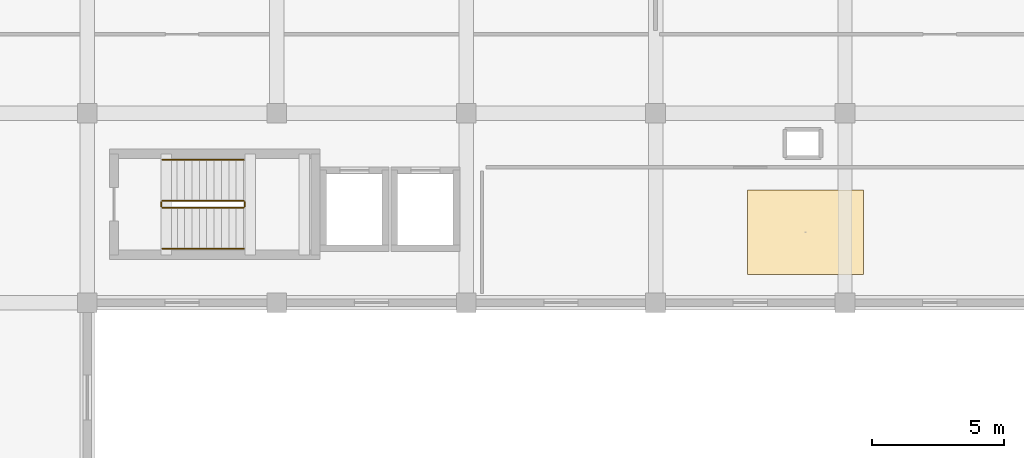
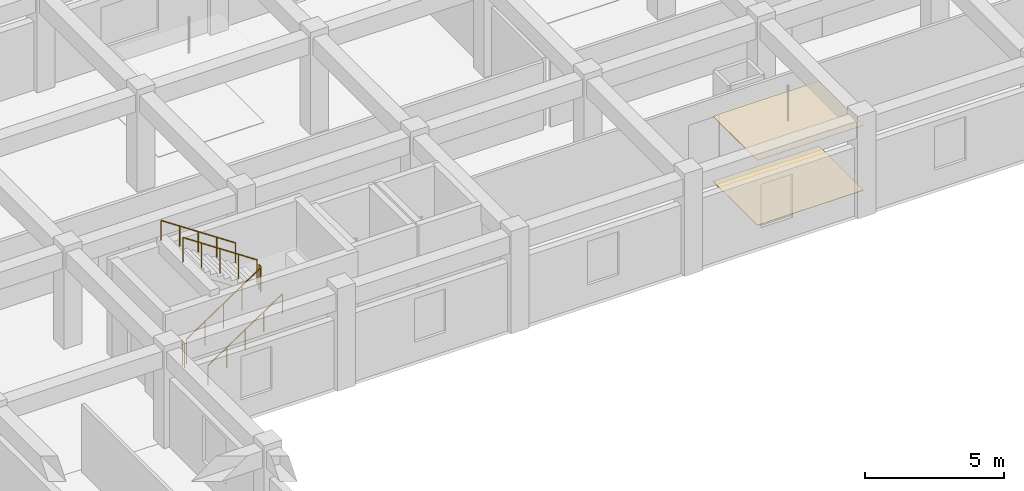
# One storey, part 55 of 56: 6 railings, 2 coverings.
"""IFC4 building model written with IfcOpenShell, lengths in metres."""

from ifc_helpers import new_model, si_unit, direction, frame, origin, origin_2d, place, context, subcontext, project, spatial, rectangle, circle, extrude, material, layer, layer_set, type_object, element, save


model = new_model("IFC4")

# Units and contexts
model_context = context("Model", 3, precision=1e-05, world=origin(), true_north=direction((0.0, 1.0)))
body_context = subcontext(model_context, "Body", "Model", "MODEL_VIEW")
ifc_project = project(units=[si_unit("LENGTHUNIT", "METRE"), si_unit("AREAUNIT", "SQUARE_METRE"), si_unit("VOLUMEUNIT", "CUBIC_METRE"), si_unit("PLANEANGLEUNIT", "RADIAN"), si_unit("MASSUNIT", "GRAM", prefix="KILO")], contexts=[model_context])

# Site, building, storey
site_placement = place(None, origin())
site = spatial("IfcSite", under=ifc_project, at=site_placement, CompositionType="ELEMENT")
building_placement = place(site_placement, origin())
building = spatial("IfcBuilding", under=site, at=building_placement, Name="Kazehaya Institute of Natural Sciences", CompositionType="ELEMENT")
storey_placement = place(building_placement, frame((0.0, 0.0, 24.300048828125)))
storey = spatial("IfcBuildingStorey", under=building, at=storey_placement, Name="L05", CompositionType="ELEMENT", Elevation=24.300048828125)

# Coverings
ifc_material_1 = material(Name="Mineral-fibre acoustic ceiling tile")
ifc_layer_1 = layer(ifc_material_1, 0.02490234375, Name="Mineral-fibre acoustic ceiling tile")
ifc_layer_set_1 = layer_set([ifc_layer_1], Name="Mineral-fibre acoustic ceiling tile")
covering_type_1 = type_object("IfcCoveringType", Name="COV-CEIL-AC", PredefinedType="CEILING", material=ifc_layer_set_1)
covering_1_placement = place(storey_placement, frame((96.300048828125, 88.675048828125, 2.847412109375), z_axis=(0.0, 0.0, 1.0), x_axis=(1.0, 0.0, 0.0)))
element("IfcCovering", 1, at=covering_1_placement, inside=storey, type_object=covering_type_1, Name="L05 Researcher Write-up Office ceiling 55", PredefinedType="CEILING", context=body_context, shape_type="SweptSolid", body=[
    extrude(rectangle(XDim=4.39990234375, YDim=3.199951171875, at=origin_2d()), origin(), (0.0, 0.0, 1.0), 0.02490234375),
])
ifc_material_2 = material(Name="Polished Sawara stone terrazzo flooring", Category="masonry")
ifc_layer_2 = layer(ifc_material_2, 0.02001953125, Name="Polished Sawara stone terrazzo flooring", Category="masonry")
ifc_layer_set_2 = layer_set([ifc_layer_2], Name="Polished Sawara stone terrazzo flooring")
covering_type_2 = type_object("IfcCoveringType", Name="COV-FLR-TRZ", PredefinedType="FLOORING", material=ifc_layer_set_2)
covering_2_placement = place(storey_placement, frame((96.300048828125, 88.675048828125, 0.0), z_axis=(0.0, 0.0, 1.0), x_axis=(1.0, 0.0, 0.0)))
element("IfcCovering", 2, at=covering_2_placement, inside=storey, type_object=covering_type_2, Name="L05 Researcher Write-up Office finish flooring 55", PredefinedType="FLOORING", context=body_context, shape_type="SweptSolid", body=[
    extrude(rectangle(XDim=4.39990234375, YDim=3.199951171875, at=origin_2d()), origin(), (0.0, 0.0, 1.0), 0.02001953125),
])

# Railings
ifc_material_3 = material(Name="Structural steel SN490B", Category="steel")
railing_type_1 = type_object("IfcRailingType", Name="RL-STAIR-GRD", PredefinedType="GUARDRAIL", material=ifc_material_3)
railing_1_placement = place(storey_placement, frame((71.860107421875, 89.610107421875, 0.1875)))
element("IfcRailing", 3, at=railing_1_placement, inside=storey, type_object=railing_type_1, Name="L05 ST-3 stair guard 1", PredefinedType="GUARDRAIL", context=body_context, shape_type="SweptSolid", body=[
    extrude(circle(Radius=0.02392578125, at=origin_2d()), frame((0.0, 0.0, 1.076171875), z_axis=(0.830893310487, 0.0, 0.556431762742), x_axis=(0.0, 1.0, 0.0)), (0.0, 0.0, 1.0), 3.70654296875),
    extrude(circle(Radius=0.02099609375, at=origin_2d()), origin(), (0.0, 0.0, 1.0), 1.052001953125),
    extrude(circle(Radius=0.02099609375, at=origin_2d()), frame((0.77001953125, 0.0, 0.515625)), (0.0, 0.0, 1.0), 1.052001953125),
    extrude(circle(Radius=0.02099609375, at=origin_2d()), frame((1.5400390625, 0.0, 1.03125)), (0.0, 0.0, 1.0), 1.052001953125),
    extrude(circle(Radius=0.02099609375, at=origin_2d()), frame((2.309814453125, 0.0, 1.546875)), (0.0, 0.0, 1.0), 1.052001953125),
    extrude(circle(Radius=0.02099609375, at=origin_2d()), frame((3.079833984375, 0.0, 2.0625)), (0.0, 0.0, 1.0), 1.052001953125),
])
railing_2_placement = place(storey_placement, frame((74.989990234375, 89.659912109375, 2.25)))
element("IfcRailing", 4, at=railing_2_placement, inside=storey, type_object=railing_type_1, Name="L05 ST-3 stair guard 2", PredefinedType="GUARDRAIL", context=body_context, shape_type="SweptSolid", body=[
    extrude(circle(Radius=0.02392578125, at=origin_2d()), frame((0.0, 0.0, 1.076171875), z_axis=(0.0, 1.0, 0.0), x_axis=(-1.0, 0.0, 0.0)), (0.0, 0.0, 1.0), 0.16015625),
    extrude(circle(Radius=0.02099609375, at=origin_2d()), origin(), (0.0, 0.0, 1.0), 1.052001953125),
    extrude(circle(Radius=0.02099609375, at=origin_2d()), frame((0.0, 0.16015625, 0.0)), (0.0, 0.0, 1.0), 1.052001953125),
])
railing_3_placement = place(storey_placement, frame((74.93994140625, 89.8701171875, 2.4375)))
element("IfcRailing", 5, at=railing_3_placement, inside=storey, type_object=railing_type_1, Name="L05 ST-3 stair guard 3", PredefinedType="GUARDRAIL", context=body_context, shape_type="SweptSolid", body=[
    extrude(circle(Radius=0.02392578125, at=origin_2d()), frame((0.0, 0.0, 1.076171875), z_axis=(-0.830893310487, 0.0, 0.556431762742), x_axis=(0.0, -1.0, 0.0)), (0.0, 0.0, 1.0), 3.70654296875),
    extrude(circle(Radius=0.02099609375, at=origin_2d()), origin(), (0.0, 0.0, 1.0), 1.052001953125),
    extrude(circle(Radius=0.02099609375, at=origin_2d()), frame((-0.77001953125, 0.0, 0.515625)), (0.0, 0.0, 1.0), 1.052001953125),
    extrude(circle(Radius=0.02099609375, at=origin_2d()), frame((-1.5400390625, 0.0, 1.03125)), (0.0, 0.0, 1.0), 1.052001953125),
    extrude(circle(Radius=0.02099609375, at=origin_2d()), frame((-2.309814453125, 0.0, 1.546875)), (0.0, 0.0, 1.0), 1.052001953125),
    extrude(circle(Radius=0.02099609375, at=origin_2d()), frame((-3.079833984375, 0.0, 2.0625)), (0.0, 0.0, 1.0), 1.052001953125),
])
railing_4_placement = place(storey_placement, frame((71.81005859375, 89.659912109375, 0.0)))
element("IfcRailing", 6, at=railing_4_placement, inside=storey, type_object=railing_type_1, Name="L05 ST-3 stair guard 4", PredefinedType="GUARDRAIL", context=body_context, shape_type="SweptSolid", body=[
    extrude(circle(Radius=0.02392578125, at=origin_2d()), frame((0.0, 0.0, 1.076171875), z_axis=(0.0, 1.0, 0.0), x_axis=(-1.0, 0.0, 0.0)), (0.0, 0.0, 1.0), 0.16015625),
    extrude(circle(Radius=0.02099609375, at=origin_2d()), origin(), (0.0, 0.0, 1.0), 1.052001953125),
    extrude(circle(Radius=0.02099609375, at=origin_2d()), frame((0.0, 0.16015625, 0.0)), (0.0, 0.0, 1.0), 1.052001953125),
])
ifc_material_4 = material(Name="Brushed stainless steel handrail", Category="steel")
railing_type_2 = type_object("IfcRailingType", Name="RL-STAIR-HND", PredefinedType="HANDRAIL", material=ifc_material_4)
railing_5_placement = place(storey_placement, frame((71.860107421875, 88.050048828125, 0.1875)))
element("IfcRailing", 7, at=railing_5_placement, inside=storey, type_object=railing_type_2, Name="L05 ST-3 stair handrail 1", PredefinedType="HANDRAIL", context=body_context, shape_type="SweptSolid", body=[
    extrude(circle(Radius=0.02392578125, at=origin_2d()), frame((0.0, 0.0, 0.8759765625), z_axis=(0.830893310487, 0.0, 0.556431762742), x_axis=(0.0, 1.0, 0.0)), (0.0, 0.0, 1.0), 3.70654296875),
    extrude(circle(Radius=0.02099609375, at=origin_2d()), origin(), (0.0, 0.0, 1.0), 0.851806640625),
    extrude(circle(Radius=0.02099609375, at=origin_2d()), frame((0.77001953125, 0.0, 0.515625)), (0.0, 0.0, 1.0), 0.851806640625),
    extrude(circle(Radius=0.02099609375, at=origin_2d()), frame((1.5400390625, 0.0, 1.03125)), (0.0, 0.0, 1.0), 0.851806640625),
    extrude(circle(Radius=0.02099609375, at=origin_2d()), frame((2.309814453125, 0.0, 1.546875)), (0.0, 0.0, 1.0), 0.851806640625),
    extrude(circle(Radius=0.02099609375, at=origin_2d()), frame((3.079833984375, 0.0, 2.0625)), (0.0, 0.0, 1.0), 0.851806640625),
])
railing_6_placement = place(storey_placement, frame((74.93994140625, 91.429931640625, 2.4375)))
element("IfcRailing", 8, at=railing_6_placement, inside=storey, type_object=railing_type_2, Name="L05 ST-3 stair handrail 2", PredefinedType="HANDRAIL", context=body_context, shape_type="SweptSolid", body=[
    extrude(circle(Radius=0.02392578125, at=origin_2d()), frame((0.0, 0.0, 0.8759765625), z_axis=(-0.830893310487, 0.0, 0.556431762742), x_axis=(0.0, -1.0, 0.0)), (0.0, 0.0, 1.0), 3.70654296875),
    extrude(circle(Radius=0.02099609375, at=origin_2d()), origin(), (0.0, 0.0, 1.0), 0.851806640625),
    extrude(circle(Radius=0.02099609375, at=origin_2d()), frame((-0.77001953125, 0.0, 0.515625)), (0.0, 0.0, 1.0), 0.851806640625),
    extrude(circle(Radius=0.02099609375, at=origin_2d()), frame((-1.5400390625, 0.0, 1.03125)), (0.0, 0.0, 1.0), 0.851806640625),
    extrude(circle(Radius=0.02099609375, at=origin_2d()), frame((-2.309814453125, 0.0, 1.546875)), (0.0, 0.0, 1.0), 0.851806640625),
    extrude(circle(Radius=0.02099609375, at=origin_2d()), frame((-3.079833984375, 0.0, 2.0625)), (0.0, 0.0, 1.0), 0.851806640625),
])

save(model, "model.ifc")
